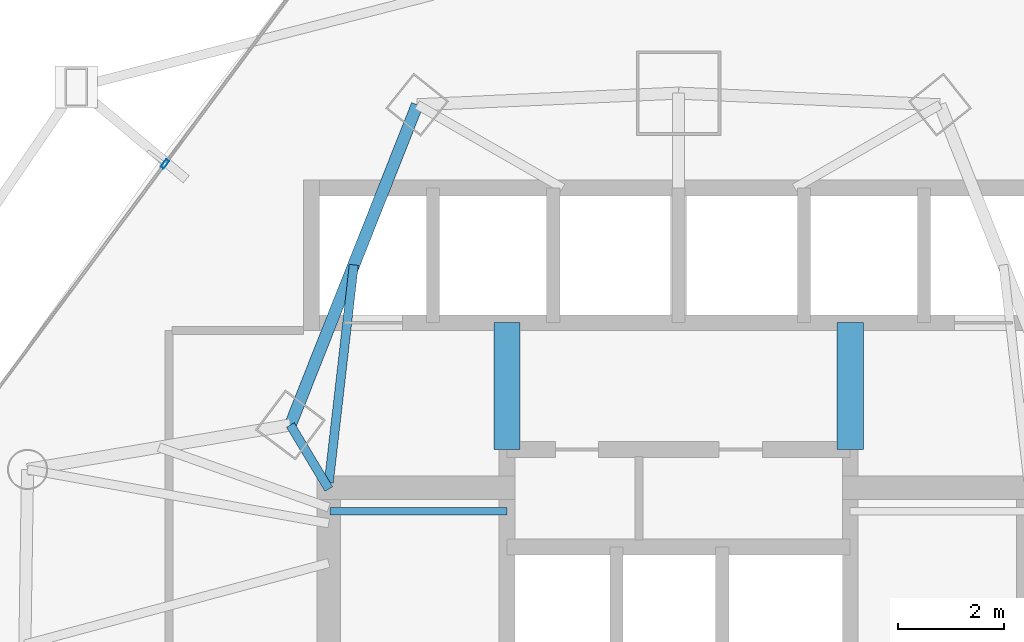
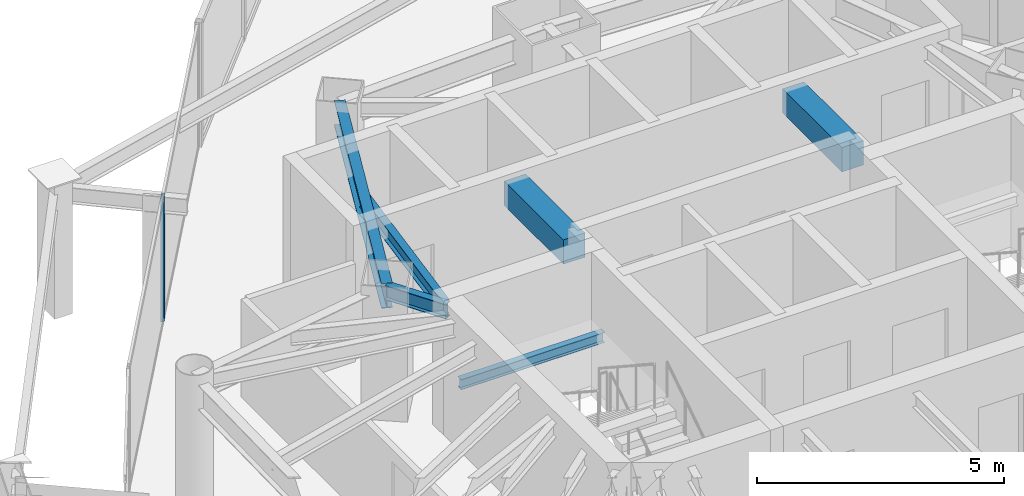
# One storey, part 21 of 33: 6 beams, 1 member, 1 element without a shape of its own.
"""IFC4 building model written with IfcOpenShell, lengths in metres."""

import ifcopenshell
import ifcopenshell.guid

model = None  # the IFC model being written
_history = None  # IfcOwnerHistory: only IFC2X3 demands one
_inside = {}  # id of a spatial element -> (the spatial element, [elements in it])
_under = {}  # id of a project, library or spatial element -> (it, [spatial elements below it])
_declared = {}  # id of a project -> (the project, [libraries it declares])
_typed = {}  # id of a type object -> (the type object, [elements of that type])
_made_of = {}  # id of a material, layer set ... -> (it, [elements and type objects made of it])


def new_model(schema):
    """Start an empty IFC model of exactly this schema.

    Asked for "IFC4X3", IfcOpenShell would pick the latest addendum, in which some entities
    have other attributes; the version numbers below select the first issue.
    IFC2X3 requires an IfcOwnerHistory on every rooted entity: one is made here for all.
    """
    global model, _history
    if schema == "IFC4X3":
        model = ifcopenshell.file(schema_version=(4, 3, 0, 0))
    else:
        model = ifcopenshell.file(schema=schema)
    _inside.clear()
    _under.clear()
    _declared.clear()
    _typed.clear()
    _made_of.clear()
    _history = None
    if model.schema == "IFC2X3":
        org = make("IfcOrganization", Name="unknown")
        user = make(
            "IfcPersonAndOrganization",
            ThePerson=make("IfcPerson", FamilyName="unknown"),
            TheOrganization=org,
        )
        app = make(
            "IfcApplication",
            ApplicationDeveloper=org,
            Version="unknown",
            ApplicationFullName="unknown",
            ApplicationIdentifier="unknown",
        )
        _history = make(
            "IfcOwnerHistory",
            OwningUser=user,
            OwningApplication=app,
            ChangeAction="ADDED",
            CreationDate=0,
        )
    return model


def make(cls, **values):
    """One entity of the class cls with the attributes given. An attribute that is None is left unset."""
    return model.create_entity(
        cls, **{name: value for name, value in values.items() if value is not None}
    )


def rooted(cls, **values):
    """An entity with a GlobalId (a new one), such as an element, a storey or a relation."""
    return make(cls, GlobalId=ifcopenshell.guid.new(), OwnerHistory=_history, **values)


def si_unit(unit_type, name, prefix=None):
    """IfcSIUnit, for example si_unit("LENGTHUNIT", "METRE", prefix="MILLI")."""
    return make("IfcSIUnit", UnitType=unit_type, Prefix=prefix, Name=name)


def assignment(units):
    """IfcUnitAssignment: the units of a project."""
    return None if units is None else make("IfcUnitAssignment", Units=units)


def point(xyz):
    """IfcCartesianPoint."""
    return None if xyz is None else make("IfcCartesianPoint", Coordinates=xyz)


def direction(xyz):
    """IfcDirection."""
    return None if xyz is None else make("IfcDirection", DirectionRatios=xyz)


def frame(location, z_axis=None, x_axis=None):
    """IfcAxis2Placement3D, a coordinate frame: its origin and axes. An axis left out is left unset."""
    return make(
        "IfcAxis2Placement3D",
        Location=point(location),
        Axis=direction(z_axis),
        RefDirection=direction(x_axis),
    )


def frame_2d(location, x_axis=None):
    """IfcAxis2Placement2D, a coordinate frame in the plane: its origin and x axis."""
    return make(
        "IfcAxis2Placement2D", Location=point(location), RefDirection=direction(x_axis)
    )


def origin():
    """The frame at (0, 0, 0) with its axes left unset."""
    return frame((0.0, 0.0, 0.0))


def origin_2d():
    """The frame at (0, 0) in the plane with its x axis left unset."""
    return frame_2d((0.0, 0.0))


def place(relative_to, where):
    """IfcLocalPlacement: puts the frame where relative to a parent placement (None: the world)."""
    return make(
        "IfcLocalPlacement", PlacementRelTo=relative_to, RelativePlacement=where
    )


def context(
    kind, dimensions, precision=None, world=None, true_north=None, identifier=None
):
    """IfcGeometricRepresentationContext, for example the 3D "Model" context."""
    return make(
        "IfcGeometricRepresentationContext",
        ContextIdentifier=identifier,
        ContextType=kind,
        CoordinateSpaceDimension=dimensions,
        Precision=precision,
        WorldCoordinateSystem=world,
        TrueNorth=true_north,
    )


def subcontext(parent, identifier, kind, view, scale=None):
    """IfcGeometricRepresentationSubContext, for example "Body" below "Model"."""
    return make(
        "IfcGeometricRepresentationSubContext",
        ContextIdentifier=identifier,
        ContextType=kind,
        ParentContext=parent,
        TargetScale=scale,
        TargetView=view,
    )


def project(units=None, contexts=None):
    """IfcProject with its units and contexts."""
    return rooted(
        "IfcProject",
        Name="project",
        RepresentationContexts=contexts,
        UnitsInContext=assignment(units),
    )


def spatial(cls, under=None, at=None, **own):
    """A site, building, storey or space (cls), placed at a placement, below another one or the project."""
    s = rooted(cls, ObjectPlacement=at, **own)
    if under is not None:
        _under.setdefault(under.id(), (under, []))[1].append(s)
    return s


def profile(cls, at=None, kind="AREA", **sizes):
    """A parametric profile (cls). Its sizes go by their IFC names, for example OverallWidth=200.0."""
    return make(cls, ProfileType=kind, Position=at, **sizes)


def rectangle(**sizes):
    """IfcRectangleProfileDef."""
    return profile("IfcRectangleProfileDef", **sizes)


def hollow_rectangle(**sizes):
    """IfcRectangleHollowProfileDef."""
    return profile("IfcRectangleHollowProfileDef", **sizes)


def i_section(**sizes):
    """IfcIShapeProfileDef."""
    return profile("IfcIShapeProfileDef", **sizes)


def extrude(swept, where, along, depth):
    """IfcExtrudedAreaSolid: the profile swept, set in the frame where, extruded along a direction by depth."""
    return make(
        "IfcExtrudedAreaSolid",
        SweptArea=swept,
        Position=where,
        ExtrudedDirection=direction(along),
        Depth=depth,
    )


def shape(context_of_items, identifier, shape_type, items):
    """IfcShapeRepresentation: the items that make up one representation, for example the "Body"."""
    return make(
        "IfcShapeRepresentation",
        ContextOfItems=context_of_items,
        RepresentationIdentifier=identifier,
        RepresentationType=shape_type,
        Items=items,
    )


def material(Name=None, Category=None):
    """IfcMaterial."""
    return make("IfcMaterial", Name=Name, Category=Category)


def layer(
    of_material, thickness, ventilated=None, Name=None, Category=None, Priority=None
):
    """IfcMaterialLayer: one layer of a wall or slab, of a material (None: an air gap)."""
    return make(
        "IfcMaterialLayer",
        Material=of_material,
        LayerThickness=thickness,
        IsVentilated=ventilated,
        Name=Name,
        Category=Category,
        Priority=Priority,
    )


def layer_set(layers, Name=None):
    """IfcMaterialLayerSet."""
    return make("IfcMaterialLayerSet", MaterialLayers=layers, LayerSetName=Name)


def material_profile(
    of_material, cross_section, Name=None, Category=None, Priority=None
):
    """IfcMaterialProfile: a cross section and its material."""
    return make(
        "IfcMaterialProfile",
        Name=Name,
        Material=of_material,
        Profile=cross_section,
        Priority=Priority,
        Category=Category,
    )


def profile_set(profiles, Name=None, composite=None):
    """IfcMaterialProfileSet."""
    return make(
        "IfcMaterialProfileSet",
        Name=Name,
        MaterialProfiles=profiles,
        CompositeProfile=composite,
    )


def made_of(thing, what):
    """Note that an element or type object is made of a material, layer set ...; save() writes the relation."""
    if what is not None:
        _made_of.setdefault(what.id(), (what, []))[1].append(thing)
    return thing


def type_object(cls, material=None, **own):
    """A type object (cls), such as IfcWallType, which elements share."""
    return made_of(rooted(cls, **own), material)


def element(
    cls,
    number,
    at=None,
    inside=None,
    cuts=None,
    type_object=None,
    material=None,
    context=None,
    identifier="Body",
    shape_type=None,
    held_by="IfcProductDefinitionShape",
    body=None,
    shapes=None,
    **own,
):
    """One element of the class cls, such as IfcWall. Its Tag is "e" and its number.

    at: its placement. inside: the storey or other place that contains it. cuts: it is an
    opening in that element (IfcRelVoidsElement). A single representation is given by context,
    identifier, shape_type and body (its items); several are given by shapes. held_by: the class
    of the entity that holds the representations. save() writes the other relations.
    """
    e = rooted(cls, Tag="e%d" % number, ObjectPlacement=at, **own)
    if body is not None:
        shapes = [shape(context, identifier, shape_type, body)]
    if shapes is not None:
        e.Representation = make(held_by, Representations=shapes)
    if inside is not None:
        _inside.setdefault(inside.id(), (inside, []))[1].append(e)
    if cuts is not None:
        rooted(
            "IfcRelVoidsElement", RelatingBuildingElement=cuts, RelatedOpeningElement=e
        )
    if type_object is not None:
        _typed.setdefault(type_object.id(), (type_object, []))[1].append(e)
    return made_of(e, material)


def aggregate(whole, parts):
    """IfcRelAggregates: a whole, such as a stair, and the parts it consists of."""
    return rooted("IfcRelAggregates", RelatingObject=whole, RelatedObjects=parts)


def save(model, path):
    """Write the relations noted so far, then the file.

    IfcRelAggregates (storeys below a building ...), IfcRelContainedInSpatialStructure (elements
    in a storey), IfcRelDefinesByType, IfcRelAssociatesMaterial and IfcRelDeclares: one each for
    every whole, place, type object, material and project.
    """
    for whole, parts in _under.values():
        aggregate(whole, parts)
    for where, things in _inside.values():
        rooted(
            "IfcRelContainedInSpatialStructure",
            RelatedElements=things,
            RelatingStructure=where,
        )
    for kind, things in _typed.values():
        rooted("IfcRelDefinesByType", RelatedObjects=things, RelatingType=kind)
    for what, things in _made_of.values():
        rooted("IfcRelAssociatesMaterial", RelatedObjects=things, RelatingMaterial=what)
    for by, libraries in _declared.values():
        rooted("IfcRelDeclares", RelatingContext=by, RelatedDefinitions=libraries)
    model.write(path)


model = new_model("IFC4")

# Units and contexts
model_context = context("Model", 3, precision=1e-05, world=origin(), true_north=direction((0.0, 1.0)))
body_context = subcontext(model_context, "Body", "Model", "MODEL_VIEW")
ifc_project = project(units=[si_unit("LENGTHUNIT", "METRE"), si_unit("AREAUNIT", "SQUARE_METRE"), si_unit("VOLUMEUNIT", "CUBIC_METRE"), si_unit("PLANEANGLEUNIT", "RADIAN"), si_unit("MASSUNIT", "GRAM", prefix="KILO")], contexts=[model_context])

# Site, building, storey
site_placement = place(None, origin())
site = spatial("IfcSite", under=ifc_project, at=site_placement, CompositionType="ELEMENT")
building_placement = place(site_placement, origin())
building = spatial("IfcBuilding", under=site, at=building_placement, Name="Orvanel Arch Residences", CompositionType="ELEMENT")
storey_placement = place(building_placement, frame((0.0, 0.0, 87.35009765625)))
storey = spatial("IfcBuildingStorey", under=building, at=storey_placement, Name="L24", CompositionType="ELEMENT", Elevation=87.35009765625)

# Beams
ifc_material_1 = material(Name="Structural steel AS/NZS 3679.1 Grade 300 (300 MPa)", Category="steel")
ifc_material_profile_1 = material_profile(ifc_material_1, i_section(OverallWidth=0.14599609375, OverallDepth=0.251953125, WebThickness=0.006103515625, FlangeThickness=0.008544921875, at=origin_2d()), Name="250UB31.4")
ifc_profile_set_1 = profile_set([ifc_material_profile_1], Name="Structural steel AS/NZS 3679.1 Grade 300 (300 MPa)")
beam_type_1 = type_object("IfcBeamType", Name="BJ-250UB", PredefinedType="JOIST", material=ifc_profile_set_1)
beam_1_placement = place(storey_placement, frame((26.39990234375, 33.47998046875, 1.323974609375), z_axis=(1.0, 0.0, 0.0), x_axis=(0.0, 1.0, 0.0)))
element("IfcBeam", 1, at=beam_1_placement, inside=storey, type_object=beam_type_1, Name="L24 ST-1 Half-Landing Support Beam 1.2", PredefinedType="JOIST", context=body_context, shape_type="SweptSolid", body=[
    extrude(i_section(OverallWidth=0.14599609375, OverallDepth=0.251953125, WebThickness=0.006103515625, FlangeThickness=0.008544921875, at=origin_2d()), origin(), (0.0, 0.0, 1.0), 3.35009765625),
])
ifc_material_profile_2 = material_profile(ifc_material_1, i_section(OverallWidth=0.1708984375, OverallDepth=0.35595703125, WebThickness=0.00732421875, FlangeThickness=0.011474609375, at=origin_2d()), Name="360UB50.7")
ifc_profile_set_2 = profile_set([ifc_material_profile_2], Name="Structural steel AS/NZS 3679.1 Grade 300 (300 MPa)")
beam_type_2 = type_object("IfcBeamType", Name="BJ-360UB", PredefinedType="JOIST", material=ifc_profile_set_2)
beam_2_placement = place(storey_placement, frame((26.375, 33.89990234375, 2.8818359375), z_axis=(-0.514064138778, 0.857751748015, 0.0), x_axis=(-0.857751748015, -0.514064138778, 0.0)))
element("IfcBeam", 2, at=beam_2_placement, inside=storey, type_object=beam_type_2, Name="L24 NNW Wing Floor Joist", PredefinedType="JOIST", context=body_context, shape_type="SweptSolid", body=[
    extrude(i_section(OverallWidth=0.1708984375, OverallDepth=0.35595703125, WebThickness=0.00732421875, FlangeThickness=0.011474609375, at=origin_2d()), origin(), (0.0, 0.0, 1.0), 1.414306640625),
])
beam_3_placement = place(storey_placement, frame((26.375, 34.02001953125, 2.8818359375), z_axis=(0.114186670431, 0.993459311847, 0.0), x_axis=(-0.993459311847, 0.114186670431, 0.0)))
element("IfcBeam", 3, at=beam_3_placement, inside=storey, type_object=beam_type_2, Name="L24 NNW2 Wing Floor Joist", PredefinedType="JOIST", context=body_context, shape_type="SweptSolid", body=[
    extrude(i_section(OverallWidth=0.1708984375, OverallDepth=0.35595703125, WebThickness=0.00732421875, FlangeThickness=0.011474609375, at=origin_2d()), origin(), (0.0, 0.0, 1.0), 4.152099609375),
])
ifc_material_2 = material(Name="Concrete S65 (65 MPa)", Category="concrete")
ifc_material_profile_3 = material_profile(ifc_material_2, rectangle(XDim=0.5, YDim=0.60009765625, at=origin_2d()), Name="RC500x600")
ifc_profile_set_3 = profile_set([ifc_material_profile_3], Name="Concrete S65 (65 MPa)")
beam_type_3 = type_object("IfcBeamType", Name="CB-500x600", PredefinedType="LINTEL", material=ifc_profile_set_3)
for number, where, z_axis, x_axis, name in (
    (4, (29.75, 34.64990234375, 2.760009765625), (0.0, 1.0, 0.0), (-1.0, 0.0, 0.0), "L24 West Core Lobby Coupling Lintel Beam"),
    (5, (36.25, 34.64990234375, 2.760009765625), (0.0, 1.0, 0.0), (-1.0, 0.0, 0.0), "L24 East Core Lobby Coupling Lintel Beam"),
):
    element("IfcBeam", number, at=place(storey_placement, frame(where, z_axis=z_axis, x_axis=x_axis)), inside=storey, type_object=beam_type_3, Name=name, PredefinedType="LINTEL", context=body_context, shape_type="SweptSolid", body=[
        extrude(rectangle(XDim=0.5, YDim=0.60009765625, at=origin_2d()), origin(), (0.0, 0.0, 1.0), 2.400146484375),
    ])

# Curtain wall, member
ifc_material_3 = material(Name="Bronze-anodised aluminium AA6063-T6", Category="aluminium")
ifc_layer = layer(ifc_material_3, 0.179931640625)
ifc_layer_set = layer_set([ifc_layer], Name="Bronze-anodised aluminium AA6063-T6")
curtain_wall_type = type_object("IfcCurtainWallType", Name="CW2-LOW-SYS", PredefinedType="NOTDEFINED", material=ifc_layer_set)
curtain_wall_placement = place(storey_placement, origin())
curtain_wall = element("IfcCurtainWall", 6, at=curtain_wall_placement, inside=storey, type_object=curtain_wall_type, Name="L24 CW2-LOW-SYS Unitised Curtain Wall", PredefinedType="NOTDEFINED")
ifc_material_profile_4 = material_profile(ifc_material_3, hollow_rectangle(XDim=0.070068359375, YDim=0.179931640625, WallThickness=0.00439453125, at=origin_2d()), Name="ALU180x70x4.5")
ifc_profile_set_4 = profile_set([ifc_material_profile_4], Name="Bronze-anodised aluminium AA6063-T6")
member_type = type_object("IfcMemberType", Name="MUL-180x70", PredefinedType="MULLION", material=ifc_profile_set_4)
member_placement = place(storey_placement, frame((23.27099609375, 40.056396484375, 0.0), z_axis=(0.0, 0.0, 1.0), x_axis=(0.80276182632, -0.59629979893, 0.0)))
member = element("IfcMember", 7, at=member_placement, type_object=member_type, Name="CW-S2 mullion 2", PredefinedType="MULLION", context=body_context, shape_type="SweptSolid", body=[
    extrude(hollow_rectangle(XDim=0.070068359375, YDim=0.179931640625, WallThickness=0.00439453125, at=origin_2d()), origin(), (0.0, 0.0, 1.0), 3.059814453125),
])
aggregate(curtain_wall, [member])

# Beam
ifc_material_profile_5 = material_profile(ifc_material_1, i_section(OverallWidth=0.22900390625, OverallDepth=0.612060546875, WebThickness=0.011962890625, FlangeThickness=0.01953125, at=origin_2d()), Name="610UB125")
ifc_profile_set_5 = profile_set([ifc_material_profile_5], Name="Structural steel AS/NZS 3679.1 Grade 300 (300 MPa)")
beam_type_4 = type_object("IfcBeamType", Name="SP-610UB", PredefinedType="SPANDREL", material=ifc_profile_set_5)
beam_4_placement = place(storey_placement, frame((28.050048828125, 41.177978515625, 2.75390625), z_axis=(-0.368233143579, -0.929733484376, 0.0), x_axis=(0.929733484376, -0.368233143579, 0.0)))
element("IfcBeam", 8, at=beam_4_placement, inside=storey, type_object=beam_type_4, Name="L24 Perimeter Spandrel Beam 18", PredefinedType="SPANDREL", context=body_context, shape_type="SweptSolid", body=[
    extrude(i_section(OverallWidth=0.22900390625, OverallDepth=0.612060546875, WebThickness=0.011962890625, FlangeThickness=0.01953125, at=origin_2d()), origin(), (0.0, 0.0, 1.0), 6.523193359375),
])

save(model, "model.ifc")
